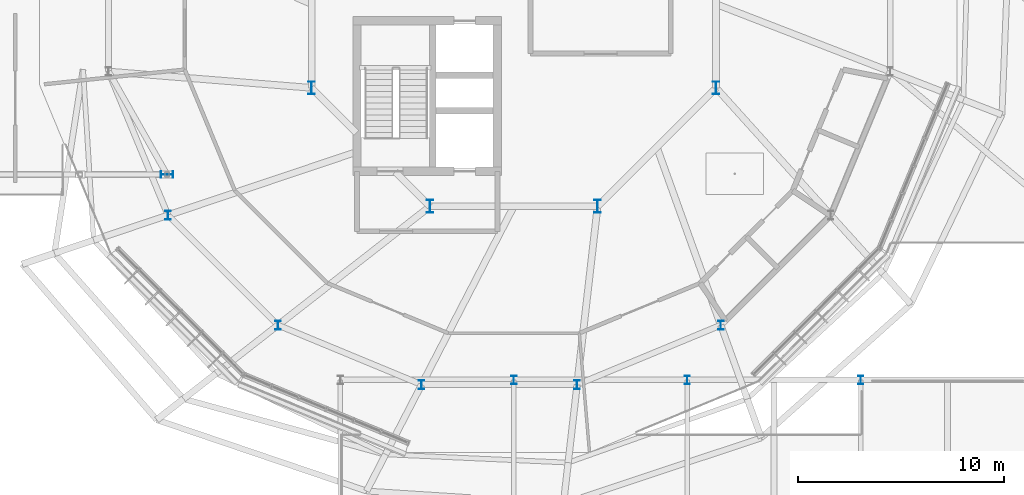
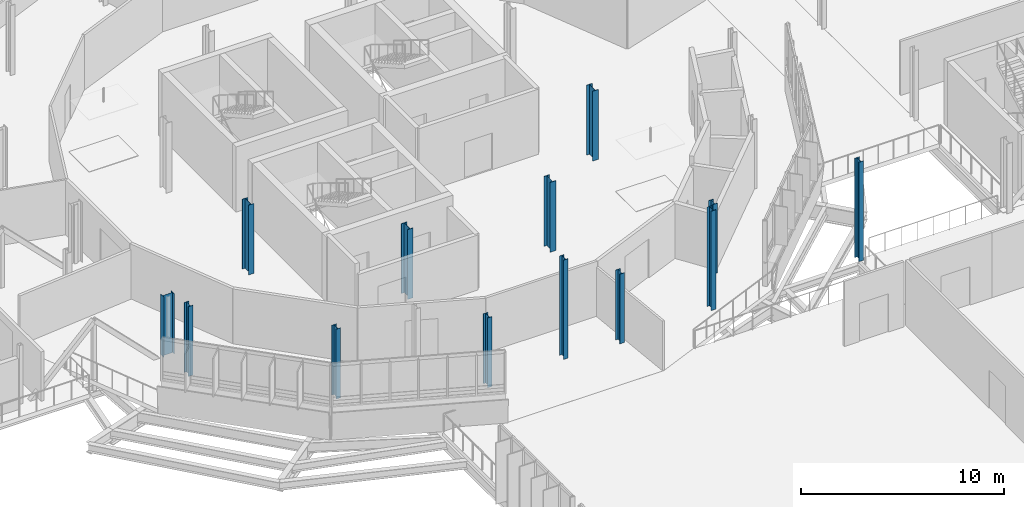
# One storey, part 2 of 107: 13 columns.
"""IFC4 building model written with IfcOpenShell, lengths in metres."""

from ifc_helpers import new_model, si_unit, derived_unit, direction, frame, origin, origin_2d, place, context, subcontext, project, spatial, i_section, extrude, material, material_profile, profile_set, type_object, element, save


model = new_model("IFC4")

# Units and contexts
model_context = context("Model", 3, precision=1e-05, world=origin(), true_north=direction((0.0, 1.0)))
body_context = subcontext(model_context, "Body", "Model", "MODEL_VIEW")
ifc_project = project(units=[si_unit("LENGTHUNIT", "METRE"), si_unit("AREAUNIT", "SQUARE_METRE"), si_unit("VOLUMEUNIT", "CUBIC_METRE"), si_unit("PLANEANGLEUNIT", "RADIAN"), si_unit("MASSUNIT", "GRAM", prefix="KILO"), derived_unit("THERMALTRANSMITTANCEUNIT", [(si_unit("MASSUNIT", "GRAM", prefix="KILO"), 1), (si_unit("TIMEUNIT", "SECOND"), -3), (si_unit("THERMODYNAMICTEMPERATUREUNIT", "KELVIN"), -1)])], contexts=[model_context])

# Site, building, storey
site_placement = place(None, origin())
site = spatial("IfcSite", under=ifc_project, at=site_placement, CompositionType="ELEMENT")
building_placement = place(site_placement, origin())
building = spatial("IfcBuilding", under=site, at=building_placement, Name="Makaiwela Harbour Ferry Terminal", CompositionType="ELEMENT")
storey_placement = place(building_placement, frame((0.0, 0.0, 9.60009765625)))
storey = spatial("IfcBuildingStorey", under=building, at=storey_placement, Name="L02", CompositionType="ELEMENT", Elevation=9.60009765625)

# Columns
ifc_material = material(Name="Steel ASTM A992 Grade 50", Category="steel")
ifc_material_profile_1 = material_profile(ifc_material, i_section(OverallWidth=0.264892578125, OverallDepth=0.430908203125, WebThickness=0.014892578125, FlangeThickness=0.02490234375, at=origin_2d()), Name="W16X100")
ifc_profile_set_1 = profile_set([ifc_material_profile_1], Name="Steel ASTM A992 Grade 50")
column_type_1 = type_object("IfcColumnType", Name="STR-COL-W16X100", PredefinedType="COLUMN", material=ifc_profile_set_1)
for number, where, z_axis, x_axis, name in (
    (1, (21.052490234375, 57.37744140625, 0.0), (0.0, 0.0, 1.0), (1.0, 0.0, 0.0), "Structural Column C-03"),
    (2, (26.37744140625, 52.052490234375, 0.0), (0.0, 0.0, 1.0), (1.0, 0.0, 0.0), "Structural Column C-03"),
    (3, (33.334716796875, 49.1708984375, 0.0), (0.0, 0.0, 1.0), (1.0, 0.0, 0.0), "Structural Column C-03"),
    (4, (40.865234375, 49.1708984375, 0.0), (0.0, 0.0, 1.0), (1.0, 0.0, 0.0), "Structural Column C-03"),
    (5, (47.822509765625, 52.052490234375, 0.0), (0.0, 0.0, 1.0), (1.0, 0.0, 0.0), "Structural Column C-03"),
):
    element("IfcColumn", number, at=place(storey_placement, frame(where, z_axis=z_axis, x_axis=x_axis)), inside=storey, type_object=column_type_1, Name=name, PredefinedType="COLUMN", context=body_context, shape_type="SweptSolid", body=[
        extrude(i_section(OverallWidth=0.264892578125, OverallDepth=0.430908203125, WebThickness=0.014892578125, FlangeThickness=0.02490234375, at=origin_2d()), origin(), (0.0, 0.0, 1.0), 4.199951171875),
    ])
ifc_material_profile_2 = material_profile(ifc_material, i_section(OverallWidth=0.260986328125, OverallDepth=0.4189453125, WebThickness=0.01171875, FlangeThickness=0.019287109375, at=origin_2d()), Name="W16X77")
ifc_profile_set_2 = profile_set([ifc_material_profile_2], Name="Steel ASTM A992 Grade 50")
column_type_2 = type_object("IfcColumnType", Name="STR-COL-W16X77", PredefinedType="COLUMN", material=ifc_profile_set_2)
for number, where, z_axis, x_axis, name in (
    (6, (37.800048828125, 49.39990234375, 0.0), (0.0, 0.0, 1.0), (1.0, 0.0, 0.0), "Structural Column C-04"),
    (7, (46.199951171875, 49.39990234375, 0.0), (0.0, 0.0, 1.0), (1.0, 0.0, 0.0), "Structural Column C-04"),
    (8, (54.60009765625, 49.39990234375, 0.0), (0.0, 0.0, 1.0), (1.0, 0.0, 0.0), "Structural Column C-04"),
):
    element("IfcColumn", number, at=place(storey_placement, frame(where, z_axis=z_axis, x_axis=x_axis)), inside=storey, type_object=column_type_2, Name=name, PredefinedType="COLUMN", context=body_context, shape_type="SweptSolid", body=[
        extrude(i_section(OverallWidth=0.260986328125, OverallDepth=0.4189453125, WebThickness=0.01171875, FlangeThickness=0.019287109375, at=origin_2d()), origin(), (0.0, 0.0, 1.0), 5.976806640625),
    ])
ifc_material_profile_3 = material_profile(ifc_material, i_section(OverallWidth=0.324951171875, OverallDepth=0.615966796875, WebThickness=0.013916015625, FlangeThickness=0.021484375, at=origin_2d()), Name="W24X117")
ifc_profile_set_3 = profile_set([ifc_material_profile_3], Name="Steel ASTM A992 Grade 50")
column_type_3 = type_object("IfcColumnType", Name="STR-COL-W24X117", PredefinedType="COLUMN", material=ifc_profile_set_3)
for number, where, z_axis, x_axis, name in (
    (9, (28.0068359375, 63.543701171875, 0.0), (0.0, 0.0, 1.0), (1.0, 0.0, 0.0), "Structural Column C-02"),
    (10, (33.74365234375, 57.806884765625, 0.0), (0.0, 0.0, 1.0), (1.0, 0.0, 0.0), "Structural Column C-02"),
    (11, (41.8564453125, 57.806884765625, 0.0), (0.0, 0.0, 1.0), (1.0, 0.0, 0.0), "Structural Column C-02"),
    (12, (47.593017578125, 63.543701171875, 0.0), (0.0, 0.0, 1.0), (1.0, 0.0, 0.0), "Structural Column C-02"),
):
    element("IfcColumn", number, at=place(storey_placement, frame(where, z_axis=z_axis, x_axis=x_axis)), inside=storey, type_object=column_type_3, Name=name, PredefinedType="COLUMN", context=body_context, shape_type="SweptSolid", body=[
        extrude(i_section(OverallWidth=0.324951171875, OverallDepth=0.615966796875, WebThickness=0.013916015625, FlangeThickness=0.021484375, at=origin_2d()), origin(), (0.0, 0.0, 1.0), 4.199951171875),
    ])
column_placement = place(storey_placement, frame((21.0, 59.35009765625, 0.0), z_axis=(0.0, 0.0, 1.0), x_axis=(0.0, 1.0, 0.0)))
element("IfcColumn", 13, at=column_placement, inside=storey, type_object=column_type_3, Name="Structural Column C-02", PredefinedType="COLUMN", context=body_context, shape_type="SweptSolid", body=[
    extrude(i_section(OverallWidth=0.324951171875, OverallDepth=0.615966796875, WebThickness=0.013916015625, FlangeThickness=0.021484375, at=origin_2d()), origin(), (0.0, 0.0, 1.0), 3.619873046875),
])

save(model, "model.ifc")
